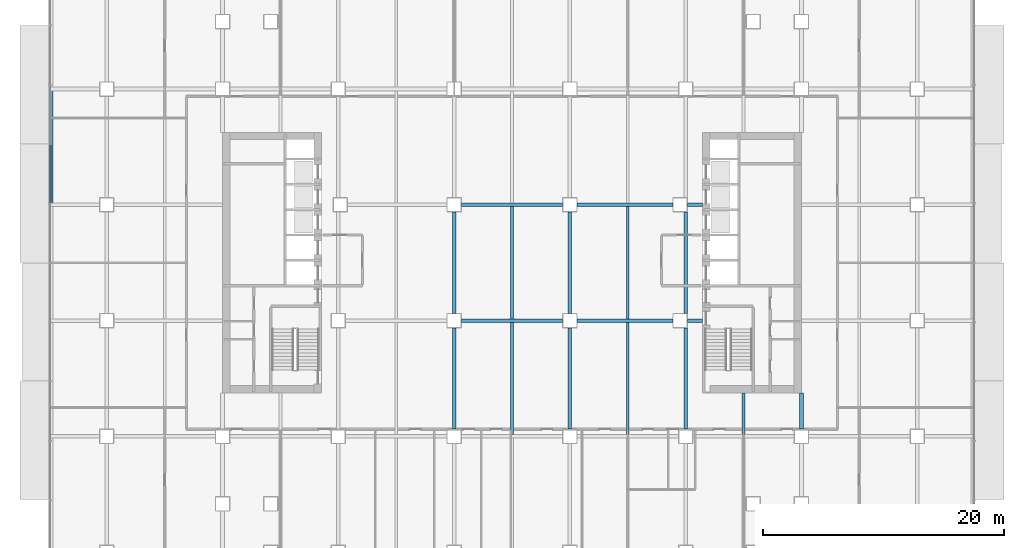
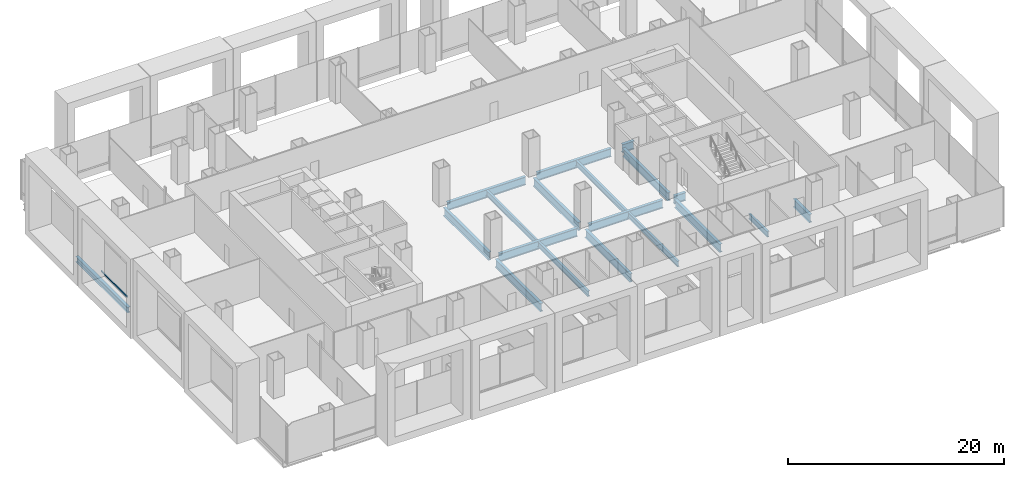
# One storey, part 5 of 23: 19 beams, 1 member, 1 element without a shape of its own.
"""IFC4 building model written with IfcOpenShell, lengths in metres."""

import ifcopenshell
import ifcopenshell.guid

model = None  # the IFC model being written
_history = None  # IfcOwnerHistory: only IFC2X3 demands one
_inside = {}  # id of a spatial element -> (the spatial element, [elements in it])
_under = {}  # id of a project, library or spatial element -> (it, [spatial elements below it])
_declared = {}  # id of a project -> (the project, [libraries it declares])
_typed = {}  # id of a type object -> (the type object, [elements of that type])
_made_of = {}  # id of a material, layer set ... -> (it, [elements and type objects made of it])


def new_model(schema):
    """Start an empty IFC model of exactly this schema.

    Asked for "IFC4X3", IfcOpenShell would pick the latest addendum, in which some entities
    have other attributes; the version numbers below select the first issue.
    IFC2X3 requires an IfcOwnerHistory on every rooted entity: one is made here for all.
    """
    global model, _history
    if schema == "IFC4X3":
        model = ifcopenshell.file(schema_version=(4, 3, 0, 0))
    else:
        model = ifcopenshell.file(schema=schema)
    _inside.clear()
    _under.clear()
    _declared.clear()
    _typed.clear()
    _made_of.clear()
    _history = None
    if model.schema == "IFC2X3":
        org = make("IfcOrganization", Name="unknown")
        user = make(
            "IfcPersonAndOrganization",
            ThePerson=make("IfcPerson", FamilyName="unknown"),
            TheOrganization=org,
        )
        app = make(
            "IfcApplication",
            ApplicationDeveloper=org,
            Version="unknown",
            ApplicationFullName="unknown",
            ApplicationIdentifier="unknown",
        )
        _history = make(
            "IfcOwnerHistory",
            OwningUser=user,
            OwningApplication=app,
            ChangeAction="ADDED",
            CreationDate=0,
        )
    return model


def make(cls, **values):
    """One entity of the class cls with the attributes given. An attribute that is None is left unset."""
    return model.create_entity(
        cls, **{name: value for name, value in values.items() if value is not None}
    )


def rooted(cls, **values):
    """An entity with a GlobalId (a new one), such as an element, a storey or a relation."""
    return make(cls, GlobalId=ifcopenshell.guid.new(), OwnerHistory=_history, **values)


def si_unit(unit_type, name, prefix=None):
    """IfcSIUnit, for example si_unit("LENGTHUNIT", "METRE", prefix="MILLI")."""
    return make("IfcSIUnit", UnitType=unit_type, Prefix=prefix, Name=name)


def assignment(units):
    """IfcUnitAssignment: the units of a project."""
    return None if units is None else make("IfcUnitAssignment", Units=units)


def point(xyz):
    """IfcCartesianPoint."""
    return None if xyz is None else make("IfcCartesianPoint", Coordinates=xyz)


def direction(xyz):
    """IfcDirection."""
    return None if xyz is None else make("IfcDirection", DirectionRatios=xyz)


def frame(location, z_axis=None, x_axis=None):
    """IfcAxis2Placement3D, a coordinate frame: its origin and axes. An axis left out is left unset."""
    return make(
        "IfcAxis2Placement3D",
        Location=point(location),
        Axis=direction(z_axis),
        RefDirection=direction(x_axis),
    )


def frame_2d(location, x_axis=None):
    """IfcAxis2Placement2D, a coordinate frame in the plane: its origin and x axis."""
    return make(
        "IfcAxis2Placement2D", Location=point(location), RefDirection=direction(x_axis)
    )


def origin():
    """The frame at (0, 0, 0) with its axes left unset."""
    return frame((0.0, 0.0, 0.0))


def origin_2d():
    """The frame at (0, 0) in the plane with its x axis left unset."""
    return frame_2d((0.0, 0.0))


def place(relative_to, where):
    """IfcLocalPlacement: puts the frame where relative to a parent placement (None: the world)."""
    return make(
        "IfcLocalPlacement", PlacementRelTo=relative_to, RelativePlacement=where
    )


def context(
    kind, dimensions, precision=None, world=None, true_north=None, identifier=None
):
    """IfcGeometricRepresentationContext, for example the 3D "Model" context."""
    return make(
        "IfcGeometricRepresentationContext",
        ContextIdentifier=identifier,
        ContextType=kind,
        CoordinateSpaceDimension=dimensions,
        Precision=precision,
        WorldCoordinateSystem=world,
        TrueNorth=true_north,
    )


def subcontext(parent, identifier, kind, view, scale=None):
    """IfcGeometricRepresentationSubContext, for example "Body" below "Model"."""
    return make(
        "IfcGeometricRepresentationSubContext",
        ContextIdentifier=identifier,
        ContextType=kind,
        ParentContext=parent,
        TargetScale=scale,
        TargetView=view,
    )


def project(units=None, contexts=None):
    """IfcProject with its units and contexts."""
    return rooted(
        "IfcProject",
        Name="project",
        RepresentationContexts=contexts,
        UnitsInContext=assignment(units),
    )


def spatial(cls, under=None, at=None, **own):
    """A site, building, storey or space (cls), placed at a placement, below another one or the project."""
    s = rooted(cls, ObjectPlacement=at, **own)
    if under is not None:
        _under.setdefault(under.id(), (under, []))[1].append(s)
    return s


def profile(cls, at=None, kind="AREA", **sizes):
    """A parametric profile (cls). Its sizes go by their IFC names, for example OverallWidth=200.0."""
    return make(cls, ProfileType=kind, Position=at, **sizes)


def rectangle(**sizes):
    """IfcRectangleProfileDef."""
    return profile("IfcRectangleProfileDef", **sizes)


def i_section(**sizes):
    """IfcIShapeProfileDef."""
    return profile("IfcIShapeProfileDef", **sizes)


def extrude(swept, where, along, depth):
    """IfcExtrudedAreaSolid: the profile swept, set in the frame where, extruded along a direction by depth."""
    return make(
        "IfcExtrudedAreaSolid",
        SweptArea=swept,
        Position=where,
        ExtrudedDirection=direction(along),
        Depth=depth,
    )


def shape(context_of_items, identifier, shape_type, items):
    """IfcShapeRepresentation: the items that make up one representation, for example the "Body"."""
    return make(
        "IfcShapeRepresentation",
        ContextOfItems=context_of_items,
        RepresentationIdentifier=identifier,
        RepresentationType=shape_type,
        Items=items,
    )


def material(Name=None, Category=None):
    """IfcMaterial."""
    return make("IfcMaterial", Name=Name, Category=Category)


def material_profile(
    of_material, cross_section, Name=None, Category=None, Priority=None
):
    """IfcMaterialProfile: a cross section and its material."""
    return make(
        "IfcMaterialProfile",
        Name=Name,
        Material=of_material,
        Profile=cross_section,
        Priority=Priority,
        Category=Category,
    )


def profile_set(profiles, Name=None, composite=None):
    """IfcMaterialProfileSet."""
    return make(
        "IfcMaterialProfileSet",
        Name=Name,
        MaterialProfiles=profiles,
        CompositeProfile=composite,
    )


def made_of(thing, what):
    """Note that an element or type object is made of a material, layer set ...; save() writes the relation."""
    if what is not None:
        _made_of.setdefault(what.id(), (what, []))[1].append(thing)
    return thing


def type_object(cls, material=None, **own):
    """A type object (cls), such as IfcWallType, which elements share."""
    return made_of(rooted(cls, **own), material)


def element(
    cls,
    number,
    at=None,
    inside=None,
    cuts=None,
    type_object=None,
    material=None,
    context=None,
    identifier="Body",
    shape_type=None,
    held_by="IfcProductDefinitionShape",
    body=None,
    shapes=None,
    **own,
):
    """One element of the class cls, such as IfcWall. Its Tag is "e" and its number.

    at: its placement. inside: the storey or other place that contains it. cuts: it is an
    opening in that element (IfcRelVoidsElement). A single representation is given by context,
    identifier, shape_type and body (its items); several are given by shapes. held_by: the class
    of the entity that holds the representations. save() writes the other relations.
    """
    e = rooted(cls, Tag="e%d" % number, ObjectPlacement=at, **own)
    if body is not None:
        shapes = [shape(context, identifier, shape_type, body)]
    if shapes is not None:
        e.Representation = make(held_by, Representations=shapes)
    if inside is not None:
        _inside.setdefault(inside.id(), (inside, []))[1].append(e)
    if cuts is not None:
        rooted(
            "IfcRelVoidsElement", RelatingBuildingElement=cuts, RelatedOpeningElement=e
        )
    if type_object is not None:
        _typed.setdefault(type_object.id(), (type_object, []))[1].append(e)
    return made_of(e, material)


def aggregate(whole, parts):
    """IfcRelAggregates: a whole, such as a stair, and the parts it consists of."""
    return rooted("IfcRelAggregates", RelatingObject=whole, RelatedObjects=parts)


def save(model, path):
    """Write the relations noted so far, then the file.

    IfcRelAggregates (storeys below a building ...), IfcRelContainedInSpatialStructure (elements
    in a storey), IfcRelDefinesByType, IfcRelAssociatesMaterial and IfcRelDeclares: one each for
    every whole, place, type object, material and project.
    """
    for whole, parts in _under.values():
        aggregate(whole, parts)
    for where, things in _inside.values():
        rooted(
            "IfcRelContainedInSpatialStructure",
            RelatedElements=things,
            RelatingStructure=where,
        )
    for kind, things in _typed.values():
        rooted("IfcRelDefinesByType", RelatedObjects=things, RelatingType=kind)
    for what, things in _made_of.values():
        rooted("IfcRelAssociatesMaterial", RelatedObjects=things, RelatingMaterial=what)
    for by, libraries in _declared.values():
        rooted("IfcRelDeclares", RelatingContext=by, RelatedDefinitions=libraries)
    model.write(path)


model = new_model("IFC4")

# Units and contexts
model_context = context("Model", 3, precision=1e-05, world=origin(), true_north=direction((0.0, 1.0)))
body_context = subcontext(model_context, "Body", "Model", "MODEL_VIEW")
ifc_project = project(units=[si_unit("LENGTHUNIT", "METRE"), si_unit("AREAUNIT", "SQUARE_METRE"), si_unit("VOLUMEUNIT", "CUBIC_METRE"), si_unit("PLANEANGLEUNIT", "RADIAN"), si_unit("MASSUNIT", "GRAM", prefix="KILO")], contexts=[model_context])

# Site, building, storey
site_placement = place(None, origin())
site = spatial("IfcSite", under=ifc_project, at=site_placement, CompositionType="ELEMENT")
building_placement = place(site_placement, origin())
building = spatial("IfcBuilding", under=site, at=building_placement, Name="Cobrizo Arcos Hotel Tower", CompositionType="ELEMENT")
storey_placement = place(building_placement, frame((0.0, 0.0, 24.5)))
storey = spatial("IfcBuildingStorey", under=building, at=storey_placement, Name="L04", CompositionType="ELEMENT", Elevation=24.5)

# Curtain wall, member
ifc_material_1 = material(Name="Aluminium 6063-T6 anodised bronze", Category="aluminium")
curtain_wall_type = type_object("IfcCurtainWallType", Name="CW-B podium glazing", PredefinedType="NOTDEFINED", material=ifc_material_1)
curtain_wall_placement = place(storey_placement, origin())
curtain_wall = element("IfcCurtainWall", 1, at=curtain_wall_placement, inside=storey, type_object=curtain_wall_type, Name="CW-B L04 W face", PredefinedType="NOTDEFINED")
ifc_material_profile_1 = material_profile(ifc_material_1, rectangle(XDim=0.1201171875, YDim=0.159912109375, at=origin_2d()), Name="CW-B transom 160x120")
ifc_profile_set_1 = profile_set([ifc_material_profile_1], Name="Aluminium 6063-T6 anodised bronze")
member_type = type_object("IfcMemberType", Name="CW-B transom 160x120", PredefinedType="USERDEFINED", material=ifc_profile_set_1)
member_placement = place(storey_placement, frame((-38.300048828125, 9.800048828125, 0.89990234375), z_axis=(0.0, -1.0, 0.0), x_axis=(1.0, 0.0, 0.0)))
member = element("IfcMember", 2, at=member_placement, type_object=member_type, Name="CW-B transom 245", ObjectType="TRANSOM", PredefinedType="USERDEFINED", context=body_context, shape_type="SweptSolid", body=[
    extrude(rectangle(XDim=0.1201171875, YDim=0.159912109375, at=origin_2d()), origin(), (0.0, 0.0, 1.0), 4.840087890625),
])
aggregate(curtain_wall, [member])

# Beams
ifc_material_2 = material(Name="Steel ASTM A992 Grade 50", Category="steel")
ifc_material_profile_2 = material_profile(ifc_material_2, i_section(OverallWidth=0.32763671875, OverallDepth=0.622314453125, WebThickness=0.015380859375, FlangeThickness=0.0244140625, at=origin_2d()), Name="W24X131")
ifc_profile_set_2 = profile_set([ifc_material_profile_2], Name="Steel ASTM A992 Grade 50")
beam_type_1 = type_object("IfcBeamType", Name="W24X131 edge beam", PredefinedType="BEAM", material=ifc_profile_set_2)
beam_1_placement = place(storey_placement, frame((-38.236083984375, 14.39990234375, -0.51123046875), z_axis=(0.0, -1.0, 0.0), x_axis=(1.0, 0.0, 0.0)))
element("IfcBeam", 3, at=beam_1_placement, inside=storey, type_object=beam_type_1, Name="Edge beam EB1, L04, no. 009", PredefinedType="BEAM", context=body_context, shape_type="SweptSolid", body=[
    extrude(i_section(OverallWidth=0.32763671875, OverallDepth=0.622314453125, WebThickness=0.015380859375, FlangeThickness=0.0244140625, at=origin_2d()), origin(), (0.0, 0.0, 1.0), 9.599853515625),
])
ifc_material_profile_3 = material_profile(ifc_material_2, i_section(OverallWidth=0.23046875, OverallDepth=0.6171875, WebThickness=0.01318359375, FlangeThickness=0.022216796875, at=origin_2d()), Name="W24X94")
ifc_profile_set_3 = profile_set([ifc_material_profile_3], Name="Steel ASTM A992 Grade 50")
beam_type_2 = type_object("IfcBeamType", Name="W24X94 podium joist", PredefinedType="JOIST", material=ifc_profile_set_3)
beam_2_placement = place(storey_placement, frame((0.0, -14.246337890625, -0.508544921875), z_axis=(0.0, 1.0, 0.0), x_axis=(-1.0, 0.0, 0.0)))
element("IfcBeam", 4, at=beam_2_placement, inside=storey, type_object=beam_type_2, Name="Podium joist PJ1, L04, no. 016", PredefinedType="JOIST", context=body_context, shape_type="SweptSolid", body=[
    extrude(i_section(OverallWidth=0.23046875, OverallDepth=0.6171875, WebThickness=0.01318359375, FlangeThickness=0.022216796875, at=origin_2d()), origin(), (0.0, 0.0, 1.0), 9.292724609375),
])
beam_3_placement = place(storey_placement, frame((0.0, -4.646240234375, -0.508544921875), z_axis=(0.0, 1.0, 0.0), x_axis=(-1.0, 0.0, 0.0)))
element("IfcBeam", 5, at=beam_3_placement, inside=storey, type_object=beam_type_2, Name="Podium joist PJ1, L04, no. 017", PredefinedType="JOIST", context=body_context, shape_type="SweptSolid", body=[
    extrude(i_section(OverallWidth=0.23046875, OverallDepth=0.6171875, WebThickness=0.01318359375, FlangeThickness=0.022216796875, at=origin_2d()), origin(), (0.0, 0.0, 1.0), 9.29248046875),
])
beam_4_placement = place(storey_placement, frame((9.60009765625, -14.246337890625, -0.508544921875), z_axis=(0.0, 1.0, 0.0), x_axis=(-1.0, 0.0, 0.0)))
element("IfcBeam", 6, at=beam_4_placement, inside=storey, type_object=beam_type_2, Name="Podium joist PJ1, L04, no. 021", PredefinedType="JOIST", context=body_context, shape_type="SweptSolid", body=[
    extrude(i_section(OverallWidth=0.23046875, OverallDepth=0.6171875, WebThickness=0.01318359375, FlangeThickness=0.022216796875, at=origin_2d()), origin(), (0.0, 0.0, 1.0), 9.292724609375),
])
beam_5_placement = place(storey_placement, frame((9.60009765625, -4.646240234375, -0.508544921875), z_axis=(0.0, 1.0, 0.0), x_axis=(-1.0, 0.0, 0.0)))
element("IfcBeam", 7, at=beam_5_placement, inside=storey, type_object=beam_type_2, Name="Podium joist PJ1, L04, no. 022", PredefinedType="JOIST", context=body_context, shape_type="SweptSolid", body=[
    extrude(i_section(OverallWidth=0.23046875, OverallDepth=0.6171875, WebThickness=0.01318359375, FlangeThickness=0.022216796875, at=origin_2d()), origin(), (0.0, 0.0, 1.0), 9.29248046875),
])
beam_6_placement = place(storey_placement, frame((19.199951171875, -14.246337890625, -0.508544921875), z_axis=(0.0, 1.0, 0.0), x_axis=(-1.0, 0.0, 0.0)))
element("IfcBeam", 8, at=beam_6_placement, inside=storey, type_object=beam_type_2, Name="Podium joist PJ1, L04, no. 026", PredefinedType="JOIST", context=body_context, shape_type="SweptSolid", body=[
    extrude(i_section(OverallWidth=0.23046875, OverallDepth=0.6171875, WebThickness=0.01318359375, FlangeThickness=0.022216796875, at=origin_2d()), origin(), (0.0, 0.0, 1.0), 3.436279296875),
])
ifc_material_profile_4 = material_profile(ifc_material_2, i_section(OverallWidth=0.307373046875, OverallDepth=0.927001953125, WebThickness=0.01953125, FlangeThickness=0.031982421875, at=origin_2d()), Name="W36X194")
ifc_profile_set_4 = profile_set([ifc_material_profile_4], Name="Steel ASTM A992 Grade 50")
beam_type_3 = type_object("IfcBeamType", Name="W36X194 podium girder", PredefinedType="BEAM", material=ifc_profile_set_4)
beam_7_placement = place(storey_placement, frame((-4.199951171875, -4.800048828125, -0.66357421875), z_axis=(1.0, 0.0, 0.0), x_axis=(0.0, 1.0, 0.0)))
element("IfcBeam", 9, at=beam_7_placement, inside=storey, type_object=beam_type_3, Name="Podium girder PG1, L04, no. 013", PredefinedType="BEAM", context=body_context, shape_type="SweptSolid", body=[
    extrude(i_section(OverallWidth=0.307373046875, OverallDepth=0.927001953125, WebThickness=0.01953125, FlangeThickness=0.031982421875, at=origin_2d()), origin(), (0.0, 0.0, 1.0), 8.39990234375),
])
beam_8_placement = place(storey_placement, frame((5.39990234375, -4.800048828125, -0.66357421875), z_axis=(1.0, 0.0, 0.0), x_axis=(0.0, 1.0, 0.0)))
element("IfcBeam", 10, at=beam_8_placement, inside=storey, type_object=beam_type_3, Name="Podium girder PG1, L04, no. 014", PredefinedType="BEAM", context=body_context, shape_type="SweptSolid", body=[
    extrude(i_section(OverallWidth=0.307373046875, OverallDepth=0.927001953125, WebThickness=0.01953125, FlangeThickness=0.031982421875, at=origin_2d()), origin(), (0.0, 0.0, 1.0), 7.940185546875),
])
beam_9_placement = place(storey_placement, frame((14.5400390625, -4.800048828125, -0.66357421875), z_axis=(1.0, 0.0, 0.0), x_axis=(0.0, 1.0, 0.0)))
element("IfcBeam", 11, at=beam_9_placement, inside=storey, type_object=beam_type_3, Name="Podium girder PG1, L04, no. 015", PredefinedType="BEAM", context=body_context, shape_type="SweptSolid", body=[
    extrude(i_section(OverallWidth=0.307373046875, OverallDepth=0.927001953125, WebThickness=0.01953125, FlangeThickness=0.031982421875, at=origin_2d()), origin(), (0.0, 0.0, 1.0), 1.25),
])
beam_10_placement = place(storey_placement, frame((-4.199951171875, 4.800048828125, -0.66357421875), z_axis=(1.0, 0.0, 0.0), x_axis=(0.0, 1.0, 0.0)))
element("IfcBeam", 12, at=beam_10_placement, inside=storey, type_object=beam_type_3, Name="Podium girder PG1, L04, no. 021", PredefinedType="BEAM", context=body_context, shape_type="SweptSolid", body=[
    extrude(i_section(OverallWidth=0.307373046875, OverallDepth=0.927001953125, WebThickness=0.01953125, FlangeThickness=0.031982421875, at=origin_2d()), origin(), (0.0, 0.0, 1.0), 8.39990234375),
])
beam_11_placement = place(storey_placement, frame((5.39990234375, 4.800048828125, -0.66357421875), z_axis=(1.0, 0.0, 0.0), x_axis=(0.0, 1.0, 0.0)))
element("IfcBeam", 13, at=beam_11_placement, inside=storey, type_object=beam_type_3, Name="Podium girder PG1, L04, no. 022", PredefinedType="BEAM", context=body_context, shape_type="SweptSolid", body=[
    extrude(i_section(OverallWidth=0.307373046875, OverallDepth=0.927001953125, WebThickness=0.01953125, FlangeThickness=0.031982421875, at=origin_2d()), origin(), (0.0, 0.0, 1.0), 7.940185546875),
])
beam_12_placement = place(storey_placement, frame((14.5400390625, 4.800048828125, -0.66357421875), z_axis=(1.0, 0.0, 0.0), x_axis=(0.0, 1.0, 0.0)))
element("IfcBeam", 14, at=beam_12_placement, inside=storey, type_object=beam_type_3, Name="Podium girder PG1, L04, no. 023", PredefinedType="BEAM", context=body_context, shape_type="SweptSolid", body=[
    extrude(i_section(OverallWidth=0.307373046875, OverallDepth=0.927001953125, WebThickness=0.01953125, FlangeThickness=0.031982421875, at=origin_2d()), origin(), (0.0, 0.0, 1.0), 1.25),
])
beam_13_placement = place(storey_placement, frame((-4.800048828125, -13.800048828125, -0.66357421875), z_axis=(0.0, 1.0, 0.0), x_axis=(-1.0, 0.0, 0.0)))
element("IfcBeam", 15, at=beam_13_placement, inside=storey, type_object=beam_type_3, Name="Podium girder PG1, L04, no. 052", PredefinedType="BEAM", context=body_context, shape_type="SweptSolid", body=[
    extrude(i_section(OverallWidth=0.307373046875, OverallDepth=0.927001953125, WebThickness=0.01953125, FlangeThickness=0.031982421875, at=origin_2d()), origin(), (0.0, 0.0, 1.0), 8.400146484375),
])
beam_14_placement = place(storey_placement, frame((-4.800048828125, -4.199951171875, -0.66357421875), z_axis=(0.0, 1.0, 0.0), x_axis=(-1.0, 0.0, 0.0)))
element("IfcBeam", 16, at=beam_14_placement, inside=storey, type_object=beam_type_3, Name="Podium girder PG1, L04, no. 053", PredefinedType="BEAM", context=body_context, shape_type="SweptSolid", body=[
    extrude(i_section(OverallWidth=0.307373046875, OverallDepth=0.927001953125, WebThickness=0.01953125, FlangeThickness=0.031982421875, at=origin_2d()), origin(), (0.0, 0.0, 1.0), 8.39990234375),
])
beam_15_placement = place(storey_placement, frame((4.800048828125, -13.800048828125, -0.66357421875), z_axis=(0.0, 1.0, 0.0), x_axis=(-1.0, 0.0, 0.0)))
element("IfcBeam", 17, at=beam_15_placement, inside=storey, type_object=beam_type_3, Name="Podium girder PG1, L04, no. 057", PredefinedType="BEAM", context=body_context, shape_type="SweptSolid", body=[
    extrude(i_section(OverallWidth=0.307373046875, OverallDepth=0.927001953125, WebThickness=0.01953125, FlangeThickness=0.031982421875, at=origin_2d()), origin(), (0.0, 0.0, 1.0), 8.400146484375),
])
beam_16_placement = place(storey_placement, frame((4.800048828125, -4.199951171875, -0.66357421875), z_axis=(0.0, 1.0, 0.0), x_axis=(-1.0, 0.0, 0.0)))
element("IfcBeam", 18, at=beam_16_placement, inside=storey, type_object=beam_type_3, Name="Podium girder PG1, L04, no. 058", PredefinedType="BEAM", context=body_context, shape_type="SweptSolid", body=[
    extrude(i_section(OverallWidth=0.307373046875, OverallDepth=0.927001953125, WebThickness=0.01953125, FlangeThickness=0.031982421875, at=origin_2d()), origin(), (0.0, 0.0, 1.0), 8.39990234375),
])
beam_17_placement = place(storey_placement, frame((14.39990234375, -13.800048828125, -0.66357421875), z_axis=(0.0, 1.0, 0.0), x_axis=(-1.0, 0.0, 0.0)))
element("IfcBeam", 19, at=beam_17_placement, inside=storey, type_object=beam_type_3, Name="Podium girder PG1, L04, no. 062", PredefinedType="BEAM", context=body_context, shape_type="SweptSolid", body=[
    extrude(i_section(OverallWidth=0.307373046875, OverallDepth=0.927001953125, WebThickness=0.01953125, FlangeThickness=0.031982421875, at=origin_2d()), origin(), (0.0, 0.0, 1.0), 8.400146484375),
])
beam_18_placement = place(storey_placement, frame((14.39990234375, -4.199951171875, -0.66357421875), z_axis=(0.0, 1.0, 0.0), x_axis=(-1.0, 0.0, 0.0)))
element("IfcBeam", 20, at=beam_18_placement, inside=storey, type_object=beam_type_3, Name="Podium girder PG1, L04, no. 063", PredefinedType="BEAM", context=body_context, shape_type="SweptSolid", body=[
    extrude(i_section(OverallWidth=0.307373046875, OverallDepth=0.927001953125, WebThickness=0.01953125, FlangeThickness=0.031982421875, at=origin_2d()), origin(), (0.0, 0.0, 1.0), 8.39990234375),
])
beam_19_placement = place(storey_placement, frame((24.0, -13.800048828125, -0.66357421875), z_axis=(0.0, 1.0, 0.0), x_axis=(-1.0, 0.0, 0.0)))
element("IfcBeam", 21, at=beam_19_placement, inside=storey, type_object=beam_type_3, Name="Podium girder PG1, L04, no. 068", PredefinedType="BEAM", context=body_context, shape_type="SweptSolid", body=[
    extrude(i_section(OverallWidth=0.307373046875, OverallDepth=0.927001953125, WebThickness=0.01953125, FlangeThickness=0.031982421875, at=origin_2d()), origin(), (0.0, 0.0, 1.0), 2.989990234375),
])

save(model, "model.ifc")
